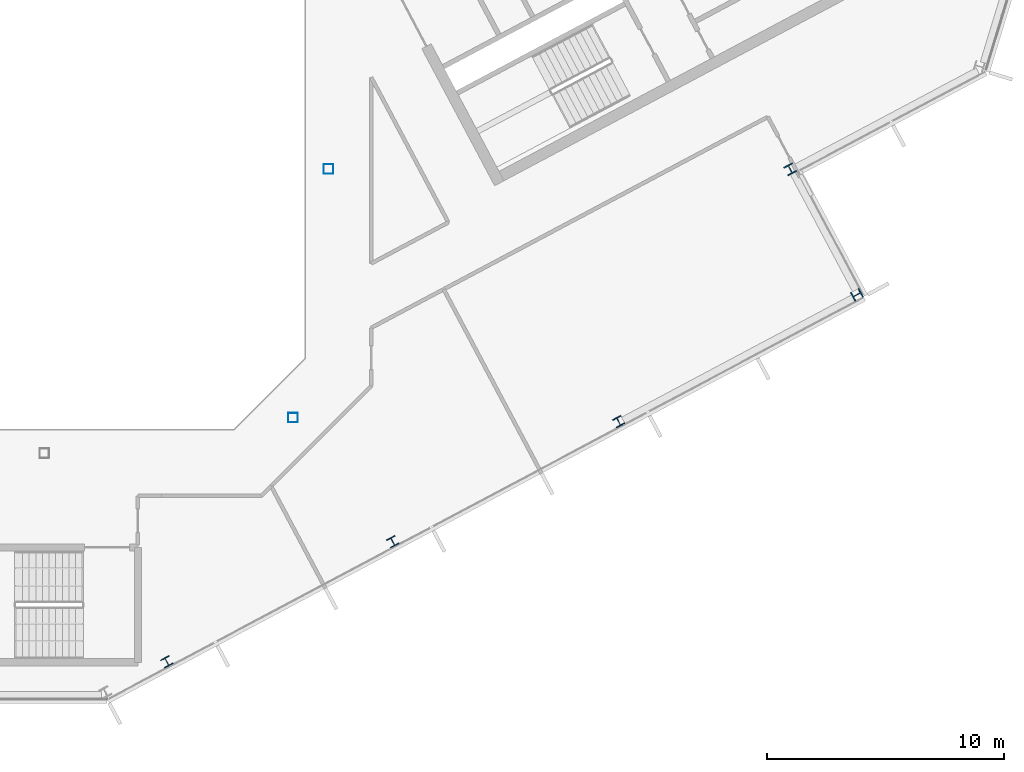
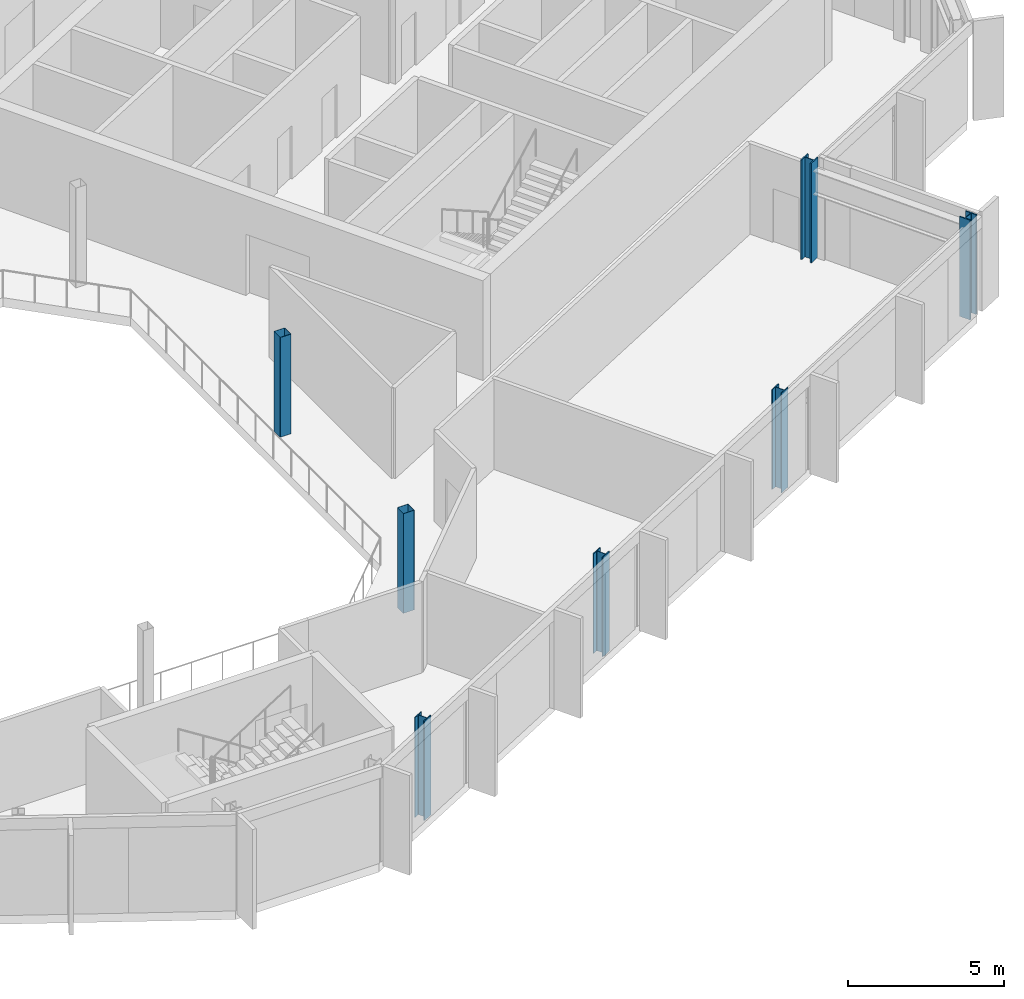
# One storey, part 5 of 26: 7 columns.
"""IFC4 building model written with IfcOpenShell, lengths in metres."""

from ifc_helpers import new_model, si_unit, direction, frame, origin, origin_2d, place, context, subcontext, project, spatial, hollow_rectangle, i_section, extrude, material, material_profile, profile_set, type_object, element, save


model = new_model("IFC4")

# Units and contexts
model_context = context("Model", 3, precision=1e-05, world=origin(), true_north=direction((0.0, 1.0)))
body_context = subcontext(model_context, "Body", "Model", "MODEL_VIEW")
ifc_project = project(units=[si_unit("LENGTHUNIT", "METRE"), si_unit("AREAUNIT", "SQUARE_METRE"), si_unit("VOLUMEUNIT", "CUBIC_METRE"), si_unit("PLANEANGLEUNIT", "RADIAN"), si_unit("MASSUNIT", "GRAM", prefix="KILO")], contexts=[model_context])

# Site, building, storey
site_placement = place(None, origin())
site = spatial("IfcSite", under=ifc_project, at=site_placement, CompositionType="ELEMENT")
building_placement = place(site_placement, origin())
building = spatial("IfcBuilding", under=site, at=building_placement, Name="Cormorant Relay Tower", CompositionType="ELEMENT")
storey_placement = place(building_placement, frame((0.0, 0.0, 300.89990234375)))
storey = spatial("IfcBuildingStorey", under=building, at=storey_placement, Name="L68", CompositionType="ELEMENT", Elevation=300.89990234375)

# Columns
ifc_material_1 = material(Name="Steel ASTM A500 Grade C (Fy 345 MPa)", Category="steel")
ifc_material_profile_1 = material_profile(ifc_material_1, hollow_rectangle(XDim=0.406494140625, YDim=0.406494140625, WallThickness=0.0087890625, InnerFilletRadius=0.00439453125, OuterFilletRadius=0.01318359375, at=origin_2d()), Name="HSS406x406x9")
ifc_profile_set_1 = profile_set([ifc_material_profile_1], Name="Steel ASTM A500 Grade C (Fy 345 MPa)")
column_type_1 = type_object("IfcColumnType", Name="Column HSS406x406x9", PredefinedType="COLUMN", material=ifc_profile_set_1)
for number, where, z_axis, x_axis, name in (
    (1, (10.5, -10.5, 0.0), (0.0, 0.0, 1.0), (1.0, 0.0, 0.0), "Column L68-010"),
    (2, (12.0, 0.0, 0.0), (0.0, 0.0, 1.0), (1.0, 0.0, 0.0), "Column L68-016"),
):
    element("IfcColumn", number, at=place(storey_placement, frame(where, z_axis=z_axis, x_axis=x_axis)), inside=storey, type_object=column_type_1, Name=name, PredefinedType="COLUMN", context=body_context, shape_type="SweptSolid", body=[
        extrude(hollow_rectangle(XDim=0.406494140625, YDim=0.406494140625, WallThickness=0.0087890625, InnerFilletRadius=0.00439453125, OuterFilletRadius=0.01318359375, at=origin_2d()), origin(), (0.0, 0.0, 1.0), 3.900146484375),
    ])
ifc_material_2 = material(Name="Steel ASTM A992 (Fy 345 MPa)", Category="steel")
ifc_material_profile_2 = material_profile(ifc_material_2, i_section(OverallWidth=0.398681640625, OverallDepth=0.385986328125, WebThickness=0.02099609375, FlangeThickness=0.033203125, FilletRadius=0.01513671875, at=origin_2d()), Name="W360x262")
ifc_profile_set_2 = profile_set([ifc_material_profile_2], Name="Steel ASTM A992 (Fy 345 MPa)")
column_type_2 = type_object("IfcColumnType", Name="Column W360x262", PredefinedType="COLUMN", material=ifc_profile_set_2)
for number, where, z_axis, x_axis, name in (
    (3, (5.174072265625, -20.806884765625, 0.0), (0.0, 0.0, 1.0), (0.882947592859, 0.469471562786, 0.0), "Column L68-003"),
    (4, (14.7099609375, -15.736083984375, 0.0), (0.0, 0.0, 1.0), (0.882947592859, 0.469471562786, 0.0), "Column L68-005"),
    (5, (24.2451171875, -10.666015625, 0.0), (0.0, 0.0, 1.0), (0.882947592859, 0.469471562786, 0.0), "Column L68-008"),
):
    element("IfcColumn", number, at=place(storey_placement, frame(where, z_axis=z_axis, x_axis=x_axis)), inside=storey, type_object=column_type_2, Name=name, PredefinedType="COLUMN", context=body_context, shape_type="SweptSolid", body=[
        extrude(i_section(OverallWidth=0.398681640625, OverallDepth=0.385986328125, WebThickness=0.02099609375, FlangeThickness=0.033203125, FilletRadius=0.01513671875, at=origin_2d()), origin(), (0.0, 0.0, 1.0), 3.900146484375),
    ])
ifc_material_3 = material(Name="Steel ASTM A992 (Fy 345 MPa)", Category="steel")
ifc_material_profile_3 = material_profile(ifc_material_3, i_section(OverallWidth=0.40380859375, OverallDepth=0.406494140625, WebThickness=0.027099609375, FlangeThickness=0.043701171875, FilletRadius=0.01513671875, at=origin_2d()), Name="W360x347")
ifc_profile_set_3 = profile_set([ifc_material_profile_3], Name="Steel ASTM A992 (Fy 345 MPa)")
column_type_3 = type_object("IfcColumnType", Name="Column W360x347", PredefinedType="COLUMN", material=ifc_profile_set_3)
for number, where, z_axis, x_axis, name in (
    (6, (34.303955078125, -5.31201171875, 0.0), (0.0, 0.0, 1.0), (-0.469471562786, 0.882947592859, 0.0), "Column L68-012"),
    (7, (31.487060546875, -0.013916015625, 0.0), (0.0, 0.0, 1.0), (0.882947592859, 0.469471562786, 0.0), "Column L68-014"),
):
    element("IfcColumn", number, at=place(storey_placement, frame(where, z_axis=z_axis, x_axis=x_axis)), inside=storey, type_object=column_type_3, Name=name, PredefinedType="COLUMN", context=body_context, shape_type="SweptSolid", body=[
        extrude(i_section(OverallWidth=0.40380859375, OverallDepth=0.406494140625, WebThickness=0.027099609375, FlangeThickness=0.043701171875, FilletRadius=0.01513671875, at=origin_2d()), origin(), (0.0, 0.0, 1.0), 3.900146484375),
    ])

save(model, "model.ifc")
